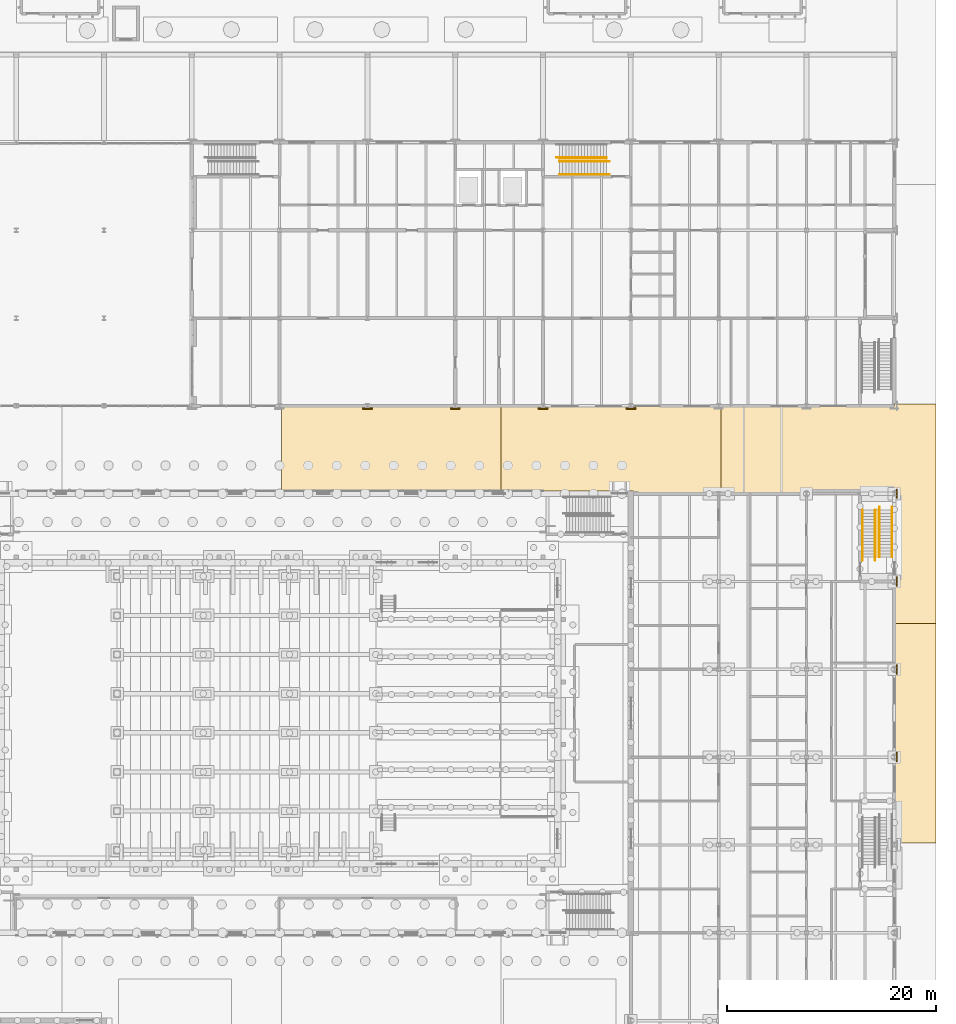
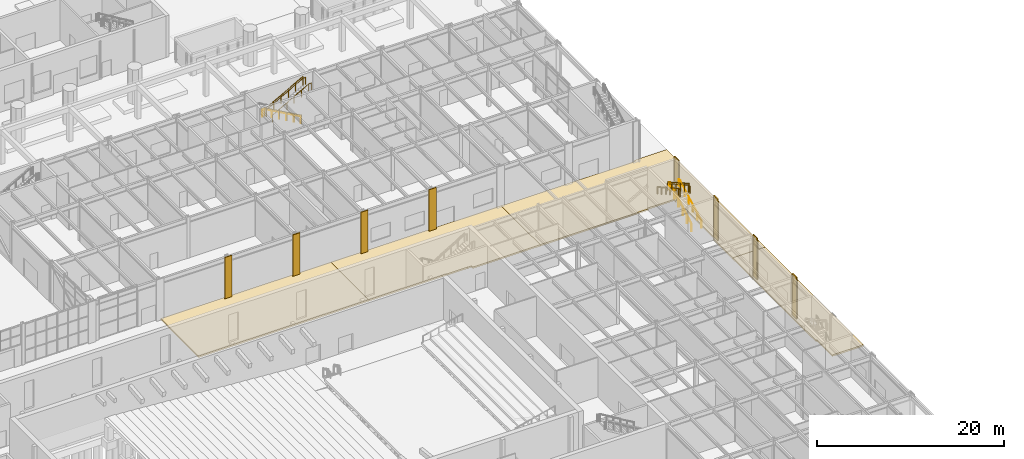
# One storey, part 111 of 127: 12 coverings, 11 railings.
"""IFC4 building model written with IfcOpenShell, lengths in metres."""

from ifc_helpers import new_model, si_unit, direction, frame, origin, origin_2d, place, context, subcontext, project, spatial, polyline, rectangle, circle, outline, extrude, material, layer, layer_set, type_object, element, save


model = new_model("IFC4")

# Units and contexts
model_context = context("Model", 3, precision=1e-05, world=origin(), true_north=direction((0.0, 1.0)))
body_context = subcontext(model_context, "Body", "Model", "MODEL_VIEW")
ifc_project = project(units=[si_unit("LENGTHUNIT", "METRE"), si_unit("AREAUNIT", "SQUARE_METRE"), si_unit("VOLUMEUNIT", "CUBIC_METRE"), si_unit("PLANEANGLEUNIT", "RADIAN"), si_unit("MASSUNIT", "GRAM", prefix="KILO")], contexts=[model_context])

# Site, building, storey
site_placement = place(None, origin())
site = spatial("IfcSite", under=ifc_project, at=site_placement, CompositionType="ELEMENT")
building_placement = place(site_placement, origin())
building = spatial("IfcBuilding", under=site, at=building_placement, Name="Ljudholm Concert House", CompositionType="ELEMENT")
storey_placement = place(building_placement, origin())
storey = spatial("IfcBuildingStorey", under=building, at=storey_placement, Name="L00", CompositionType="ELEMENT", Elevation=0.0)

# Railings
ifc_material_1 = material(Name="Steel ASTM A36", Category="steel")
railing_type_1 = type_object("IfcRailingType", Name="GUARD 1100", PredefinedType="GUARDRAIL", material=ifc_material_1)
railing_1_placement = place(storey_placement, frame((120.125, 90.324951171875, 0.168701171875)))
element("IfcRailing", 1, at=railing_1_placement, inside=storey, type_object=railing_type_1, Name="Guard", PredefinedType="GUARDRAIL", context=body_context, shape_type="SweptSolid", body=[
    extrude(circle(Radius=0.02490234375, at=origin_2d()), frame((0.0, 0.0, 1.0751953125), z_axis=(0.0, 0.871569223971, 0.490272462847), x_axis=(-1.0, 0.0, 0.0)), (0.0, 0.0, 1.0), 1.03271484375),
    extrude(circle(Radius=0.02490234375, at=origin_2d()), frame((0.0, 0.900146484375, 1.58154296875), z_axis=(0.0, 0.871613425205, 0.490193876953), x_axis=(-1.0, 0.0, 0.0)), (0.0, 0.0, 1.0), 1.032470703125),
    extrude(circle(Radius=0.02490234375, at=origin_2d()), frame((0.0, 1.800048828125, 2.08740234375), z_axis=(0.0, 0.871512386077, 0.490373491244), x_axis=(-1.0, 0.0, 0.0)), (0.0, 0.0, 1.0), 1.032470703125),
    extrude(circle(Radius=0.02490234375, at=origin_2d()), frame((0.0, 2.699951171875, 2.59375), z_axis=(0.0, 0.871569223971, 0.490272462847), x_axis=(-1.0, 0.0, 0.0)), (0.0, 0.0, 1.0), 1.03271484375),
    extrude(circle(Radius=0.02490234375, at=origin_2d()), frame((0.0, 3.60009765625, 3.10009765625), z_axis=(0.0, 0.871613425205, 0.490193876953), x_axis=(-1.0, 0.0, 0.0)), (0.0, 0.0, 1.0), 1.032470703125),
    extrude(circle(Radius=0.02099609375, at=origin_2d()), origin(), (0.0, 0.0, 1.0), 1.050048828125),
    extrude(circle(Radius=0.02099609375, at=origin_2d()), frame((0.0, 0.900146484375, 0.50634765625)), (0.0, 0.0, 1.0), 1.050048828125),
    extrude(circle(Radius=0.02099609375, at=origin_2d()), frame((0.0, 1.800048828125, 1.012451171875)), (0.0, 0.0, 1.0), 1.050048828125),
    extrude(circle(Radius=0.02099609375, at=origin_2d()), frame((0.0, 2.699951171875, 1.518798828125)), (0.0, 0.0, 1.0), 1.050048828125),
    extrude(circle(Radius=0.02099609375, at=origin_2d()), frame((0.0, 3.60009765625, 2.025146484375)), (0.0, 0.0, 1.0), 1.050048828125),
    extrude(circle(Radius=0.02099609375, at=origin_2d()), frame((0.0, 4.5, 2.53125)), (0.0, 0.0, 1.0), 1.050048828125),
])
railing_2_placement = place(storey_placement, frame((119.824951171875, 94.824951171875, 2.86865234375)))
element("IfcRailing", 2, at=railing_2_placement, inside=storey, type_object=railing_type_1, Name="Guard", PredefinedType="GUARDRAIL", context=body_context, shape_type="SweptSolid", body=[
    extrude(circle(Radius=0.02490234375, at=origin_2d()), frame((0.0, 0.0, 1.0751953125), z_axis=(0.0, -0.871512386077, 0.490373491244), x_axis=(1.0, 0.0, 0.0)), (0.0, 0.0, 1.0), 1.032470703125),
    extrude(circle(Radius=0.02490234375, at=origin_2d()), frame((0.0, -0.89990234375, 1.58154296875), z_axis=(0.0, -0.871569223971, 0.490272462847), x_axis=(1.0, 0.0, 0.0)), (0.0, 0.0, 1.0), 1.03271484375),
    extrude(circle(Radius=0.02490234375, at=origin_2d()), frame((0.0, -1.800048828125, 2.087890625), z_axis=(0.0, -0.871613425205, 0.490193876953), x_axis=(1.0, 0.0, 0.0)), (0.0, 0.0, 1.0), 1.032470703125),
    extrude(circle(Radius=0.02490234375, at=origin_2d()), frame((0.0, -2.699951171875, 2.59375), z_axis=(0.0, -0.871512386077, 0.490373491244), x_axis=(1.0, 0.0, 0.0)), (0.0, 0.0, 1.0), 1.032470703125),
    extrude(circle(Radius=0.02490234375, at=origin_2d()), frame((0.0, -3.599853515625, 3.10009765625), z_axis=(0.0, -0.87167022805, 0.49009286215), x_axis=(1.0, 0.0, 0.0)), (0.0, 0.0, 1.0), 1.03271484375),
    extrude(circle(Radius=0.02099609375, at=origin_2d()), origin(), (0.0, 0.0, 1.0), 1.050048828125),
    extrude(circle(Radius=0.02099609375, at=origin_2d()), frame((0.0, -0.89990234375, 0.50634765625)), (0.0, 0.0, 1.0), 1.050048828125),
    extrude(circle(Radius=0.02099609375, at=origin_2d()), frame((0.0, -1.800048828125, 1.0126953125)), (0.0, 0.0, 1.0), 1.050048828125),
    extrude(circle(Radius=0.02099609375, at=origin_2d()), frame((0.0, -2.699951171875, 1.518798828125)), (0.0, 0.0, 1.0), 1.050048828125),
    extrude(circle(Radius=0.02099609375, at=origin_2d()), frame((0.0, -3.599853515625, 2.025146484375)), (0.0, 0.0, 1.0), 1.050048828125),
    extrude(circle(Radius=0.02099609375, at=origin_2d()), frame((0.0, -4.5, 2.53125)), (0.0, 0.0, 1.0), 1.050048828125),
])
railing_3_placement = place(storey_placement, frame((94.074951171875, 128.52490234375, 0.168701171875)))
element("IfcRailing", 3, at=railing_3_placement, inside=storey, type_object=railing_type_1, Name="Guard", PredefinedType="GUARDRAIL", context=body_context, shape_type="SweptSolid", body=[
    extrude(circle(Radius=0.02490234375, at=origin_2d()), frame((0.0, 0.0, 1.0751953125), z_axis=(-0.871512386077, 0.0, 0.490373491244), x_axis=(0.0, -1.0, 0.0)), (0.0, 0.0, 1.0), 1.032470703125),
    extrude(circle(Radius=0.02490234375, at=origin_2d()), frame((-0.89990234375, 0.0, 1.58154296875), z_axis=(-0.87167022805, 0.0, 0.49009286215), x_axis=(0.0, -1.0, 0.0)), (0.0, 0.0, 1.0), 1.03271484375),
    extrude(circle(Radius=0.02490234375, at=origin_2d()), frame((-1.800048828125, 0.0, 2.08740234375), z_axis=(-0.871512386077, 0.0, 0.490373491244), x_axis=(0.0, -1.0, 0.0)), (0.0, 0.0, 1.0), 1.032470703125),
    extrude(circle(Radius=0.02490234375, at=origin_2d()), frame((-2.699951171875, 0.0, 2.59375), z_axis=(-0.871512386077, 0.0, 0.490373491244), x_axis=(0.0, -1.0, 0.0)), (0.0, 0.0, 1.0), 1.032470703125),
    extrude(circle(Radius=0.02490234375, at=origin_2d()), frame((-3.599853515625, 0.0, 3.10009765625), z_axis=(-0.87167022805, 0.0, 0.49009286215), x_axis=(0.0, -1.0, 0.0)), (0.0, 0.0, 1.0), 1.03271484375),
    extrude(circle(Radius=0.02099609375, at=origin_2d()), origin(), (0.0, 0.0, 1.0), 1.050048828125),
    extrude(circle(Radius=0.02099609375, at=origin_2d()), frame((-0.89990234375, 0.0, 0.50634765625)), (0.0, 0.0, 1.0), 1.050048828125),
    extrude(circle(Radius=0.02099609375, at=origin_2d()), frame((-1.800048828125, 0.0, 1.012451171875)), (0.0, 0.0, 1.0), 1.050048828125),
    extrude(circle(Radius=0.02099609375, at=origin_2d()), frame((-2.699951171875, 0.0, 1.518798828125)), (0.0, 0.0, 1.0), 1.050048828125),
    extrude(circle(Radius=0.02099609375, at=origin_2d()), frame((-3.599853515625, 0.0, 2.025146484375)), (0.0, 0.0, 1.0), 1.050048828125),
    extrude(circle(Radius=0.02099609375, at=origin_2d()), frame((-4.5, 0.0, 2.53125)), (0.0, 0.0, 1.0), 1.050048828125),
])
railing_4_placement = place(storey_placement, frame((89.574951171875, 128.22509765625, 2.86865234375)))
element("IfcRailing", 4, at=railing_4_placement, inside=storey, type_object=railing_type_1, Name="Guard", PredefinedType="GUARDRAIL", context=body_context, shape_type="SweptSolid", body=[
    extrude(circle(Radius=0.02490234375, at=origin_2d()), frame((0.0, 0.0, 1.0751953125), z_axis=(0.871569223971, 0.0, 0.490272462847), x_axis=(0.0, 1.0, 0.0)), (0.0, 0.0, 1.0), 1.03271484375),
    extrude(circle(Radius=0.02490234375, at=origin_2d()), frame((0.900146484375, 0.0, 1.58154296875), z_axis=(0.871512386077, 0.0, 0.490373491244), x_axis=(0.0, 1.0, 0.0)), (0.0, 0.0, 1.0), 1.032470703125),
    extrude(circle(Radius=0.02490234375, at=origin_2d()), frame((1.800048828125, 0.0, 2.087890625), z_axis=(0.871613425205, 0.0, 0.490193876953), x_axis=(0.0, 1.0, 0.0)), (0.0, 0.0, 1.0), 1.032470703125),
    extrude(circle(Radius=0.02490234375, at=origin_2d()), frame((2.699951171875, 0.0, 2.59375), z_axis=(0.871569223971, 0.0, 0.490272462847), x_axis=(0.0, 1.0, 0.0)), (0.0, 0.0, 1.0), 1.03271484375),
    extrude(circle(Radius=0.02490234375, at=origin_2d()), frame((3.60009765625, 0.0, 3.10009765625), z_axis=(0.871613425205, 0.0, 0.490193876953), x_axis=(0.0, 1.0, 0.0)), (0.0, 0.0, 1.0), 1.032470703125),
    extrude(circle(Radius=0.02099609375, at=origin_2d()), origin(), (0.0, 0.0, 1.0), 1.050048828125),
    extrude(circle(Radius=0.02099609375, at=origin_2d()), frame((0.900146484375, 0.0, 0.50634765625)), (0.0, 0.0, 1.0), 1.050048828125),
    extrude(circle(Radius=0.02099609375, at=origin_2d()), frame((1.800048828125, 0.0, 1.0126953125)), (0.0, 0.0, 1.0), 1.050048828125),
    extrude(circle(Radius=0.02099609375, at=origin_2d()), frame((2.699951171875, 0.0, 1.518798828125)), (0.0, 0.0, 1.0), 1.050048828125),
    extrude(circle(Radius=0.02099609375, at=origin_2d()), frame((3.60009765625, 0.0, 2.025146484375)), (0.0, 0.0, 1.0), 1.050048828125),
    extrude(circle(Radius=0.02099609375, at=origin_2d()), frame((4.5, 0.0, 2.53125)), (0.0, 0.0, 1.0), 1.050048828125),
])
ifc_material_2 = material(Name="Steel ASTM A36", Category="steel")
railing_type_2 = type_object("IfcRailingType", Name="HANDRAIL 900", PredefinedType="HANDRAIL", material=ifc_material_2)
railing_5_placement = place(storey_placement, frame((120.175048828125, 90.324951171875, 0.168701171875)))
element("IfcRailing", 5, at=railing_5_placement, inside=storey, type_object=railing_type_2, Name="Handrail", PredefinedType="HANDRAIL", context=body_context, shape_type="SweptSolid", body=[
    extrude(circle(Radius=0.0224609375, at=origin_2d()), frame((0.0, 0.0, 0.87744140625), z_axis=(0.0, 0.871569223971, 0.490272462847), x_axis=(-1.0, 0.0, 0.0)), (0.0, 0.0, 1.0), 1.03271484375),
    extrude(circle(Radius=0.0224609375, at=origin_2d()), frame((0.0, 0.900146484375, 1.3837890625), z_axis=(0.0, 0.871613425205, 0.490193876953), x_axis=(-1.0, 0.0, 0.0)), (0.0, 0.0, 1.0), 1.032470703125),
    extrude(circle(Radius=0.0224609375, at=origin_2d()), frame((0.0, 1.800048828125, 1.889892578125), z_axis=(0.0, 0.871512386077, 0.490373491244), x_axis=(-1.0, 0.0, 0.0)), (0.0, 0.0, 1.0), 1.032470703125),
    extrude(circle(Radius=0.0224609375, at=origin_2d()), frame((0.0, 2.699951171875, 2.396240234375), z_axis=(0.0, 0.871569223971, 0.490272462847), x_axis=(-1.0, 0.0, 0.0)), (0.0, 0.0, 1.0), 1.03271484375),
    extrude(circle(Radius=0.0224609375, at=origin_2d()), frame((0.0, 3.60009765625, 2.902587890625), z_axis=(0.0, 0.871613425205, 0.490193876953), x_axis=(-1.0, 0.0, 0.0)), (0.0, 0.0, 1.0), 1.032470703125),
    extrude(circle(Radius=0.0224609375, at=origin_2d()), frame((0.0, 4.5, 3.40869140625), z_axis=(0.0, 1.0, 0.0), x_axis=(-1.0, 0.0, 0.0)), (0.0, 0.0, 1.0), 0.300048828125),
    extrude(circle(Radius=0.02099609375, at=origin_2d()), origin(), (0.0, 0.0, 1.0), 0.85498046875),
    extrude(circle(Radius=0.02099609375, at=origin_2d()), frame((0.0, 0.900146484375, 0.50634765625)), (0.0, 0.0, 1.0), 0.85498046875),
    extrude(circle(Radius=0.02099609375, at=origin_2d()), frame((0.0, 1.800048828125, 1.012451171875)), (0.0, 0.0, 1.0), 0.85498046875),
    extrude(circle(Radius=0.02099609375, at=origin_2d()), frame((0.0, 2.699951171875, 1.518798828125)), (0.0, 0.0, 1.0), 0.85498046875),
    extrude(circle(Radius=0.02099609375, at=origin_2d()), frame((0.0, 3.60009765625, 2.025146484375)), (0.0, 0.0, 1.0), 0.85498046875),
    extrude(circle(Radius=0.02099609375, at=origin_2d()), frame((0.0, 4.5, 2.53125)), (0.0, 0.0, 1.0), 0.85498046875),
    extrude(circle(Radius=0.02099609375, at=origin_2d()), frame((0.0, 4.800048828125, 2.53125)), (0.0, 0.0, 1.0), 0.85498046875),
])
railing_6_placement = place(storey_placement, frame((121.39990234375, 90.324951171875, 0.168701171875)))
element("IfcRailing", 6, at=railing_6_placement, inside=storey, type_object=railing_type_2, Name="Handrail", PredefinedType="HANDRAIL", context=body_context, shape_type="SweptSolid", body=[
    extrude(circle(Radius=0.0224609375, at=origin_2d()), frame((0.0, 0.0, 0.87744140625), z_axis=(0.0, 0.871569223971, 0.490272462847), x_axis=(-1.0, 0.0, 0.0)), (0.0, 0.0, 1.0), 1.03271484375),
    extrude(circle(Radius=0.0224609375, at=origin_2d()), frame((0.0, 0.900146484375, 1.3837890625), z_axis=(0.0, 0.871613425205, 0.490193876953), x_axis=(-1.0, 0.0, 0.0)), (0.0, 0.0, 1.0), 1.032470703125),
    extrude(circle(Radius=0.0224609375, at=origin_2d()), frame((0.0, 1.800048828125, 1.889892578125), z_axis=(0.0, 0.871512386077, 0.490373491244), x_axis=(-1.0, 0.0, 0.0)), (0.0, 0.0, 1.0), 1.032470703125),
    extrude(circle(Radius=0.0224609375, at=origin_2d()), frame((0.0, 2.699951171875, 2.396240234375), z_axis=(0.0, 0.871569223971, 0.490272462847), x_axis=(-1.0, 0.0, 0.0)), (0.0, 0.0, 1.0), 1.03271484375),
    extrude(circle(Radius=0.0224609375, at=origin_2d()), frame((0.0, 3.60009765625, 2.902587890625), z_axis=(0.0, 0.871613425205, 0.490193876953), x_axis=(-1.0, 0.0, 0.0)), (0.0, 0.0, 1.0), 1.032470703125),
    extrude(circle(Radius=0.0224609375, at=origin_2d()), frame((0.0, 4.5, 3.40869140625), z_axis=(0.0, 1.0, 0.0), x_axis=(-1.0, 0.0, 0.0)), (0.0, 0.0, 1.0), 0.300048828125),
    extrude(circle(Radius=0.02099609375, at=origin_2d()), origin(), (0.0, 0.0, 1.0), 0.85498046875),
    extrude(circle(Radius=0.02099609375, at=origin_2d()), frame((0.0, 0.900146484375, 0.50634765625)), (0.0, 0.0, 1.0), 0.85498046875),
    extrude(circle(Radius=0.02099609375, at=origin_2d()), frame((0.0, 1.800048828125, 1.012451171875)), (0.0, 0.0, 1.0), 0.85498046875),
    extrude(circle(Radius=0.02099609375, at=origin_2d()), frame((0.0, 2.699951171875, 1.518798828125)), (0.0, 0.0, 1.0), 0.85498046875),
    extrude(circle(Radius=0.02099609375, at=origin_2d()), frame((0.0, 3.60009765625, 2.025146484375)), (0.0, 0.0, 1.0), 0.85498046875),
    extrude(circle(Radius=0.02099609375, at=origin_2d()), frame((0.0, 4.5, 2.53125)), (0.0, 0.0, 1.0), 0.85498046875),
    extrude(circle(Radius=0.02099609375, at=origin_2d()), frame((0.0, 4.800048828125, 2.53125)), (0.0, 0.0, 1.0), 0.85498046875),
])
railing_7_placement = place(storey_placement, frame((119.77490234375, 94.824951171875, 2.86865234375)))
element("IfcRailing", 7, at=railing_7_placement, inside=storey, type_object=railing_type_2, Name="Handrail", PredefinedType="HANDRAIL", context=body_context, shape_type="SweptSolid", body=[
    extrude(circle(Radius=0.0224609375, at=origin_2d()), frame((0.0, 0.0, 0.87744140625), z_axis=(0.0, -0.871512386077, 0.490373491244), x_axis=(1.0, 0.0, 0.0)), (0.0, 0.0, 1.0), 1.032470703125),
    extrude(circle(Radius=0.0224609375, at=origin_2d()), frame((0.0, -0.89990234375, 1.3837890625), z_axis=(0.0, -0.871569223971, 0.490272462847), x_axis=(1.0, 0.0, 0.0)), (0.0, 0.0, 1.0), 1.03271484375),
    extrude(circle(Radius=0.0224609375, at=origin_2d()), frame((0.0, -1.800048828125, 1.89013671875), z_axis=(0.0, -0.871613425205, 0.490193876953), x_axis=(1.0, 0.0, 0.0)), (0.0, 0.0, 1.0), 1.032470703125),
    extrude(circle(Radius=0.0224609375, at=origin_2d()), frame((0.0, -2.699951171875, 2.396240234375), z_axis=(0.0, -0.871512386077, 0.490373491244), x_axis=(1.0, 0.0, 0.0)), (0.0, 0.0, 1.0), 1.032470703125),
    extrude(circle(Radius=0.0224609375, at=origin_2d()), frame((0.0, -3.599853515625, 2.902587890625), z_axis=(0.0, -0.87167022805, 0.49009286215), x_axis=(1.0, 0.0, 0.0)), (0.0, 0.0, 1.0), 1.03271484375),
    extrude(circle(Radius=0.0224609375, at=origin_2d()), frame((0.0, -4.5, 3.40869140625), z_axis=(0.0, -1.0, 0.0), x_axis=(1.0, 0.0, 0.0)), (0.0, 0.0, 1.0), 0.300048828125),
    extrude(circle(Radius=0.02099609375, at=origin_2d()), origin(), (0.0, 0.0, 1.0), 0.85498046875),
    extrude(circle(Radius=0.02099609375, at=origin_2d()), frame((0.0, -0.89990234375, 0.50634765625)), (0.0, 0.0, 1.0), 0.85498046875),
    extrude(circle(Radius=0.02099609375, at=origin_2d()), frame((0.0, -1.800048828125, 1.0126953125)), (0.0, 0.0, 1.0), 0.85498046875),
    extrude(circle(Radius=0.02099609375, at=origin_2d()), frame((0.0, -2.699951171875, 1.518798828125)), (0.0, 0.0, 1.0), 0.85498046875),
    extrude(circle(Radius=0.02099609375, at=origin_2d()), frame((0.0, -3.599853515625, 2.025146484375)), (0.0, 0.0, 1.0), 0.85498046875),
    extrude(circle(Radius=0.02099609375, at=origin_2d()), frame((0.0, -4.5, 2.53125)), (0.0, 0.0, 1.0), 0.85498046875),
    extrude(circle(Radius=0.02099609375, at=origin_2d()), frame((0.0, -4.800048828125, 2.53125)), (0.0, 0.0, 1.0), 0.85498046875),
])
railing_8_placement = place(storey_placement, frame((118.550048828125, 94.824951171875, 2.86865234375)))
element("IfcRailing", 8, at=railing_8_placement, inside=storey, type_object=railing_type_2, Name="Handrail", PredefinedType="HANDRAIL", context=body_context, shape_type="SweptSolid", body=[
    extrude(circle(Radius=0.0224609375, at=origin_2d()), frame((0.0, 0.0, 0.87744140625), z_axis=(0.0, -0.871512386077, 0.490373491244), x_axis=(1.0, 0.0, 0.0)), (0.0, 0.0, 1.0), 1.032470703125),
    extrude(circle(Radius=0.0224609375, at=origin_2d()), frame((0.0, -0.89990234375, 1.3837890625), z_axis=(0.0, -0.871569223971, 0.490272462847), x_axis=(1.0, 0.0, 0.0)), (0.0, 0.0, 1.0), 1.03271484375),
    extrude(circle(Radius=0.0224609375, at=origin_2d()), frame((0.0, -1.800048828125, 1.89013671875), z_axis=(0.0, -0.871613425205, 0.490193876953), x_axis=(1.0, 0.0, 0.0)), (0.0, 0.0, 1.0), 1.032470703125),
    extrude(circle(Radius=0.0224609375, at=origin_2d()), frame((0.0, -2.699951171875, 2.396240234375), z_axis=(0.0, -0.871512386077, 0.490373491244), x_axis=(1.0, 0.0, 0.0)), (0.0, 0.0, 1.0), 1.032470703125),
    extrude(circle(Radius=0.0224609375, at=origin_2d()), frame((0.0, -3.599853515625, 2.902587890625), z_axis=(0.0, -0.87167022805, 0.49009286215), x_axis=(1.0, 0.0, 0.0)), (0.0, 0.0, 1.0), 1.03271484375),
    extrude(circle(Radius=0.0224609375, at=origin_2d()), frame((0.0, -4.5, 3.40869140625), z_axis=(0.0, -1.0, 0.0), x_axis=(1.0, 0.0, 0.0)), (0.0, 0.0, 1.0), 0.300048828125),
    extrude(circle(Radius=0.02099609375, at=origin_2d()), origin(), (0.0, 0.0, 1.0), 0.85498046875),
    extrude(circle(Radius=0.02099609375, at=origin_2d()), frame((0.0, -0.89990234375, 0.50634765625)), (0.0, 0.0, 1.0), 0.85498046875),
    extrude(circle(Radius=0.02099609375, at=origin_2d()), frame((0.0, -1.800048828125, 1.0126953125)), (0.0, 0.0, 1.0), 0.85498046875),
    extrude(circle(Radius=0.02099609375, at=origin_2d()), frame((0.0, -2.699951171875, 1.518798828125)), (0.0, 0.0, 1.0), 0.85498046875),
    extrude(circle(Radius=0.02099609375, at=origin_2d()), frame((0.0, -3.599853515625, 2.025146484375)), (0.0, 0.0, 1.0), 0.85498046875),
    extrude(circle(Radius=0.02099609375, at=origin_2d()), frame((0.0, -4.5, 2.53125)), (0.0, 0.0, 1.0), 0.85498046875),
    extrude(circle(Radius=0.02099609375, at=origin_2d()), frame((0.0, -4.800048828125, 2.53125)), (0.0, 0.0, 1.0), 0.85498046875),
])
railing_9_placement = place(storey_placement, frame((94.074951171875, 128.574951171875, 0.168701171875)))
element("IfcRailing", 9, at=railing_9_placement, inside=storey, type_object=railing_type_2, Name="Handrail", PredefinedType="HANDRAIL", context=body_context, shape_type="SweptSolid", body=[
    extrude(circle(Radius=0.0224609375, at=origin_2d()), frame((0.0, 0.0, 0.87744140625), z_axis=(-0.871512386077, 0.0, 0.490373491244), x_axis=(0.0, -1.0, 0.0)), (0.0, 0.0, 1.0), 1.032470703125),
    extrude(circle(Radius=0.0224609375, at=origin_2d()), frame((-0.89990234375, 0.0, 1.3837890625), z_axis=(-0.87167022805, 0.0, 0.49009286215), x_axis=(0.0, -1.0, 0.0)), (0.0, 0.0, 1.0), 1.03271484375),
    extrude(circle(Radius=0.0224609375, at=origin_2d()), frame((-1.800048828125, 0.0, 1.889892578125), z_axis=(-0.871512386077, 0.0, 0.490373491244), x_axis=(0.0, -1.0, 0.0)), (0.0, 0.0, 1.0), 1.032470703125),
    extrude(circle(Radius=0.0224609375, at=origin_2d()), frame((-2.699951171875, 0.0, 2.396240234375), z_axis=(-0.871512386077, 0.0, 0.490373491244), x_axis=(0.0, -1.0, 0.0)), (0.0, 0.0, 1.0), 1.032470703125),
    extrude(circle(Radius=0.0224609375, at=origin_2d()), frame((-3.599853515625, 0.0, 2.902587890625), z_axis=(-0.87167022805, 0.0, 0.49009286215), x_axis=(0.0, -1.0, 0.0)), (0.0, 0.0, 1.0), 1.03271484375),
    extrude(circle(Radius=0.0224609375, at=origin_2d()), frame((-4.5, 0.0, 3.40869140625), z_axis=(-1.0, 0.0, 0.0), x_axis=(0.0, -1.0, 0.0)), (0.0, 0.0, 1.0), 0.300048828125),
    extrude(circle(Radius=0.02099609375, at=origin_2d()), origin(), (0.0, 0.0, 1.0), 0.85498046875),
    extrude(circle(Radius=0.02099609375, at=origin_2d()), frame((-0.89990234375, 0.0, 0.50634765625)), (0.0, 0.0, 1.0), 0.85498046875),
    extrude(circle(Radius=0.02099609375, at=origin_2d()), frame((-1.800048828125, 0.0, 1.012451171875)), (0.0, 0.0, 1.0), 0.85498046875),
    extrude(circle(Radius=0.02099609375, at=origin_2d()), frame((-2.699951171875, 0.0, 1.518798828125)), (0.0, 0.0, 1.0), 0.85498046875),
    extrude(circle(Radius=0.02099609375, at=origin_2d()), frame((-3.599853515625, 0.0, 2.025146484375)), (0.0, 0.0, 1.0), 0.85498046875),
    extrude(circle(Radius=0.02099609375, at=origin_2d()), frame((-4.5, 0.0, 2.53125)), (0.0, 0.0, 1.0), 0.85498046875),
    extrude(circle(Radius=0.02099609375, at=origin_2d()), frame((-4.800048828125, 0.0, 2.53125)), (0.0, 0.0, 1.0), 0.85498046875),
])
railing_10_placement = place(storey_placement, frame((89.574951171875, 128.175048828125, 2.86865234375)))
element("IfcRailing", 10, at=railing_10_placement, inside=storey, type_object=railing_type_2, Name="Handrail", PredefinedType="HANDRAIL", context=body_context, shape_type="SweptSolid", body=[
    extrude(circle(Radius=0.0224609375, at=origin_2d()), frame((0.0, 0.0, 0.87744140625), z_axis=(0.871569223971, 0.0, 0.490272462847), x_axis=(0.0, 1.0, 0.0)), (0.0, 0.0, 1.0), 1.03271484375),
    extrude(circle(Radius=0.0224609375, at=origin_2d()), frame((0.900146484375, 0.0, 1.3837890625), z_axis=(0.871512386077, 0.0, 0.490373491244), x_axis=(0.0, 1.0, 0.0)), (0.0, 0.0, 1.0), 1.032470703125),
    extrude(circle(Radius=0.0224609375, at=origin_2d()), frame((1.800048828125, 0.0, 1.89013671875), z_axis=(0.871613425205, 0.0, 0.490193876953), x_axis=(0.0, 1.0, 0.0)), (0.0, 0.0, 1.0), 1.032470703125),
    extrude(circle(Radius=0.0224609375, at=origin_2d()), frame((2.699951171875, 0.0, 2.396240234375), z_axis=(0.871569223971, 0.0, 0.490272462847), x_axis=(0.0, 1.0, 0.0)), (0.0, 0.0, 1.0), 1.03271484375),
    extrude(circle(Radius=0.0224609375, at=origin_2d()), frame((3.60009765625, 0.0, 2.902587890625), z_axis=(0.871613425205, 0.0, 0.490193876953), x_axis=(0.0, 1.0, 0.0)), (0.0, 0.0, 1.0), 1.032470703125),
    extrude(circle(Radius=0.0224609375, at=origin_2d()), frame((4.5, 0.0, 3.40869140625), z_axis=(1.0, 0.0, 0.0), x_axis=(0.0, 1.0, 0.0)), (0.0, 0.0, 1.0), 0.300048828125),
    extrude(circle(Radius=0.02099609375, at=origin_2d()), origin(), (0.0, 0.0, 1.0), 0.85498046875),
    extrude(circle(Radius=0.02099609375, at=origin_2d()), frame((0.900146484375, 0.0, 0.50634765625)), (0.0, 0.0, 1.0), 0.85498046875),
    extrude(circle(Radius=0.02099609375, at=origin_2d()), frame((1.800048828125, 0.0, 1.0126953125)), (0.0, 0.0, 1.0), 0.85498046875),
    extrude(circle(Radius=0.02099609375, at=origin_2d()), frame((2.699951171875, 0.0, 1.518798828125)), (0.0, 0.0, 1.0), 0.85498046875),
    extrude(circle(Radius=0.02099609375, at=origin_2d()), frame((3.60009765625, 0.0, 2.025146484375)), (0.0, 0.0, 1.0), 0.85498046875),
    extrude(circle(Radius=0.02099609375, at=origin_2d()), frame((4.5, 0.0, 2.53125)), (0.0, 0.0, 1.0), 0.85498046875),
    extrude(circle(Radius=0.02099609375, at=origin_2d()), frame((4.800048828125, 0.0, 2.53125)), (0.0, 0.0, 1.0), 0.85498046875),
])
railing_11_placement = place(storey_placement, frame((89.574951171875, 126.949951171875, 2.86865234375)))
element("IfcRailing", 11, at=railing_11_placement, inside=storey, type_object=railing_type_2, Name="Handrail", PredefinedType="HANDRAIL", context=body_context, shape_type="SweptSolid", body=[
    extrude(circle(Radius=0.0224609375, at=origin_2d()), frame((0.0, 0.0, 0.87744140625), z_axis=(0.871569223971, 0.0, 0.490272462847), x_axis=(0.0, 1.0, 0.0)), (0.0, 0.0, 1.0), 1.03271484375),
    extrude(circle(Radius=0.0224609375, at=origin_2d()), frame((0.900146484375, 0.0, 1.3837890625), z_axis=(0.871512386077, 0.0, 0.490373491244), x_axis=(0.0, 1.0, 0.0)), (0.0, 0.0, 1.0), 1.032470703125),
    extrude(circle(Radius=0.0224609375, at=origin_2d()), frame((1.800048828125, 0.0, 1.89013671875), z_axis=(0.871613425205, 0.0, 0.490193876953), x_axis=(0.0, 1.0, 0.0)), (0.0, 0.0, 1.0), 1.032470703125),
    extrude(circle(Radius=0.0224609375, at=origin_2d()), frame((2.699951171875, 0.0, 2.396240234375), z_axis=(0.871569223971, 0.0, 0.490272462847), x_axis=(0.0, 1.0, 0.0)), (0.0, 0.0, 1.0), 1.03271484375),
    extrude(circle(Radius=0.0224609375, at=origin_2d()), frame((3.60009765625, 0.0, 2.902587890625), z_axis=(0.871613425205, 0.0, 0.490193876953), x_axis=(0.0, 1.0, 0.0)), (0.0, 0.0, 1.0), 1.032470703125),
    extrude(circle(Radius=0.0224609375, at=origin_2d()), frame((4.5, 0.0, 3.40869140625), z_axis=(1.0, 0.0, 0.0), x_axis=(0.0, 1.0, 0.0)), (0.0, 0.0, 1.0), 0.300048828125),
    extrude(circle(Radius=0.02099609375, at=origin_2d()), origin(), (0.0, 0.0, 1.0), 0.85498046875),
    extrude(circle(Radius=0.02099609375, at=origin_2d()), frame((0.900146484375, 0.0, 0.50634765625)), (0.0, 0.0, 1.0), 0.85498046875),
    extrude(circle(Radius=0.02099609375, at=origin_2d()), frame((1.800048828125, 0.0, 1.0126953125)), (0.0, 0.0, 1.0), 0.85498046875),
    extrude(circle(Radius=0.02099609375, at=origin_2d()), frame((2.699951171875, 0.0, 1.518798828125)), (0.0, 0.0, 1.0), 0.85498046875),
    extrude(circle(Radius=0.02099609375, at=origin_2d()), frame((3.60009765625, 0.0, 2.025146484375)), (0.0, 0.0, 1.0), 0.85498046875),
    extrude(circle(Radius=0.02099609375, at=origin_2d()), frame((4.5, 0.0, 2.53125)), (0.0, 0.0, 1.0), 0.85498046875),
    extrude(circle(Radius=0.02099609375, at=origin_2d()), frame((4.800048828125, 0.0, 2.53125)), (0.0, 0.0, 1.0), 0.85498046875),
])

# Coverings
ifc_material_3 = material(Name="Precast concrete pavers on compacted sand bed", Category="concrete")
ifc_layer_1 = layer(ifc_material_3, 0.199951171875)
ifc_layer_set_1 = layer_set([ifc_layer_1], Name="Precast concrete pavers on compacted sand bed")
covering_type_1 = type_object("IfcCoveringType", Name="PRECAST CONCRETE PAVERS ON COMPACTED SAND BED PAVING 200", PredefinedType="USERDEFINED", material=ifc_layer_set_1)
covering_1_placement = place(storey_placement, frame((0.0, 0.0, -0.199951171875)))
element("IfcCovering", 12, at=covering_1_placement, inside=storey, type_object=covering_type_1, Name="Paving", ObjectType="PAVING", PredefinedType="USERDEFINED", context=body_context, shape_type="SweptSolid", body=[
    extrude(outline(polyline([(125.590087890625, 63.0), (121.77001953125, 63.0), (121.77001953125, 66.23193359375), (121.7685546875, 66.237548828125), (121.76416015625, 66.244140625), (121.757568359375, 66.24853515625), (121.751953125, 66.25), (121.60009765625, 66.25), (121.60009765625, 84.0), (125.590087890625, 84.0), (125.590087890625, 63.0)])), origin(), (0.0, 0.0, 1.0), 0.199951171875),
])
covering_2_placement = place(storey_placement, frame((0.0, 0.0, -0.199951171875)))
element("IfcCovering", 13, at=covering_2_placement, inside=storey, type_object=covering_type_1, Name="Paving", ObjectType="PAVING", PredefinedType="USERDEFINED", context=body_context, shape_type="SweptSolid", body=[
    extrude(outline(polyline([(63.0, 96.669921875), (63.0, 104.800048828125), (84.0, 104.800048828125), (84.0, 96.669921875), (63.0, 96.669921875)])), origin(), (0.0, 0.0, 1.0), 0.199951171875),
])
covering_3_placement = place(storey_placement, frame((0.0, 0.0, -0.199951171875)))
element("IfcCovering", 14, at=covering_3_placement, inside=storey, type_object=covering_type_1, Name="Paving", ObjectType="PAVING", PredefinedType="USERDEFINED", context=body_context, shape_type="SweptSolid", body=[
    extrude(outline(polyline([(96.669921875, 96.39990234375), (96.669921875, 96.6298828125), (96.666748046875, 96.64111328125), (96.659423828125, 96.647705078125), (96.64990234375, 96.64990234375), (96.169921875, 96.64990234375), (96.16845703125, 96.65771484375), (96.1640625, 96.6640625), (96.15771484375, 96.66845703125), (96.14990234375, 96.669921875), (84.0, 96.669921875), (84.0, 104.800048828125), (105.0, 104.800048828125), (105.0, 96.39990234375), (96.669921875, 96.39990234375)])), origin(), (0.0, 0.0, 1.0), 0.199951171875),
])
covering_4_placement = place(storey_placement, frame((0.0, 0.0, -0.199951171875)))
element("IfcCovering", 15, at=covering_4_placement, inside=storey, type_object=covering_type_1, Name="Paving", ObjectType="PAVING", PredefinedType="USERDEFINED", context=body_context, shape_type="SweptSolid", body=[
    extrude(outline(polyline([(125.590087890625, 84.0), (121.60009765625, 84.0), (121.60009765625, 88.166748046875), (121.751953125, 88.166748046875), (121.759521484375, 88.1689453125), (121.765380859375, 88.174072265625), (121.76904296875, 88.180908203125), (121.77001953125, 88.186767578125), (121.77001953125, 96.21337890625), (121.76904296875, 96.218994140625), (121.765380859375, 96.22607421875), (121.759521484375, 96.23095703125), (121.751953125, 96.233154296875), (121.602783203125, 96.2333984375), (121.609375, 96.240478515625), (121.61181640625, 96.25), (121.61181640625, 96.550048828125), (121.6103515625, 96.5576171875), (121.60595703125, 96.564208984375), (121.599365234375, 96.568359375), (121.591796875, 96.570068359375), (118.343017578125, 96.56982421875), (118.33740234375, 96.568359375), (118.330810546875, 96.564208984375), (118.326416015625, 96.5576171875), (118.3251953125, 96.552001953125), (118.324951171875, 96.39990234375), (105.0, 96.39990234375), (105.0, 104.800048828125), (121.60009765625, 104.800048828125), (121.60009765625, 105.0), (125.590087890625, 105.0), (125.590087890625, 84.0)])), origin(), (0.0, 0.0, 1.0), 0.199951171875),
])
ifc_material_4 = material(Name="Precast concrete, limestone aggregate", Category="masonry")
ifc_layer_2 = layer(ifc_material_4, 0.110107421875)
ifc_layer_set_2 = layer_set([ifc_layer_2], Name="Precast concrete, limestone aggregate")
covering_type_2 = type_object("IfcCoveringType", Name="PRECAST CONCRETE, LIMESTONE AGGREGATE CLADDING 110", PredefinedType="CLADDING", material=ifc_layer_set_2)
for number, where, z_axis, x_axis, name in (
    (16, (121.844970703125, 71.199951171875, 0.0), (0.0, 0.0, 1.0), (1.0, 0.0, 0.0), "Pilaster cladding"),
    (17, (121.844970703125, 79.60009765625, 0.0), (0.0, 0.0, 1.0), (1.0, 0.0, 0.0), "Pilaster cladding"),
    (18, (121.844970703125, 88.0, 0.0), (0.0, 0.0, 1.0), (1.0, 0.0, 0.0), "Pilaster cladding"),
    (19, (121.844970703125, 96.39990234375, 0.0), (0.0, 0.0, 1.0), (1.0, 0.0, 0.0), "Pilaster cladding"),
    (20, (71.199951171875, 104.554931640625, 0.0), (0.0, 0.0, 1.0), (0.0, -1.0, 0.0), "Pilaster cladding"),
    (21, (79.60009765625, 104.554931640625, 0.0), (0.0, 0.0, 1.0), (0.0, -1.0, 0.0), "Pilaster cladding"),
    (22, (88.0, 104.554931640625, 0.0), (0.0, 0.0, 1.0), (0.0, -1.0, 0.0), "Pilaster cladding"),
    (23, (96.39990234375, 104.554931640625, 0.0), (0.0, 0.0, 1.0), (0.0, -1.0, 0.0), "Pilaster cladding"),
):
    element("IfcCovering", number, at=place(storey_placement, frame(where, z_axis=z_axis, x_axis=x_axis)), inside=storey, type_object=covering_type_2, Name=name, PredefinedType="CLADDING", context=body_context, shape_type="SweptSolid", body=[
        extrude(rectangle(XDim=0.110107421875, YDim=0.89990234375, at=origin_2d()), origin(), (0.0, 0.0, 1.0), 5.39990234375),
    ])

save(model, "model.ifc")
